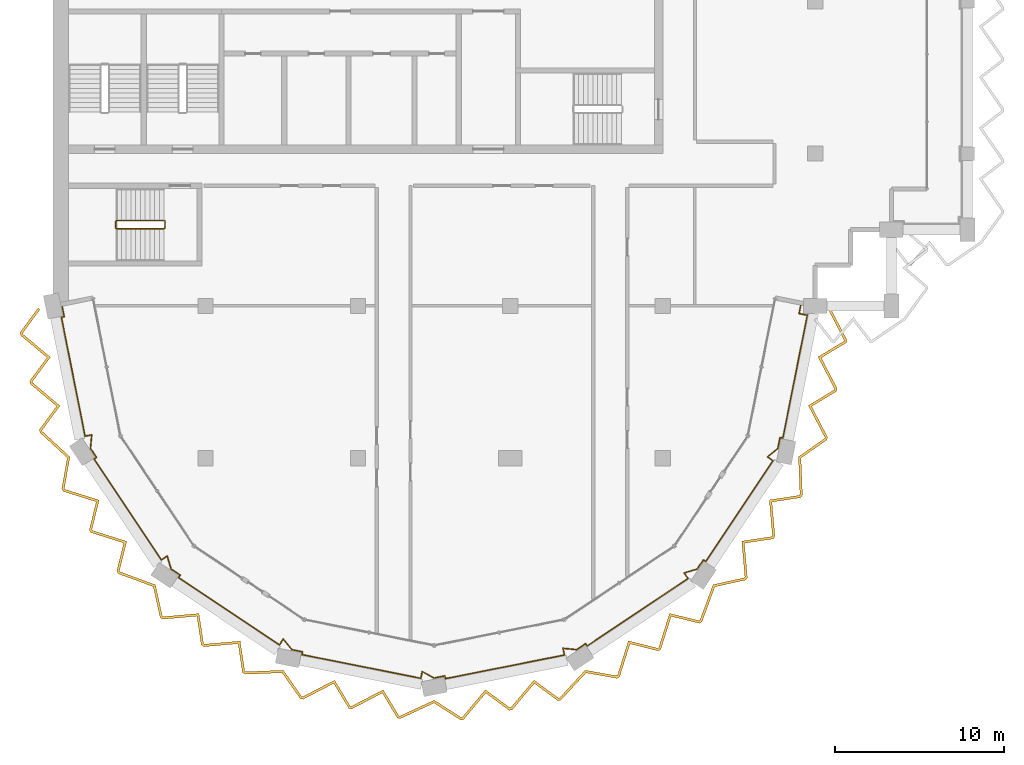
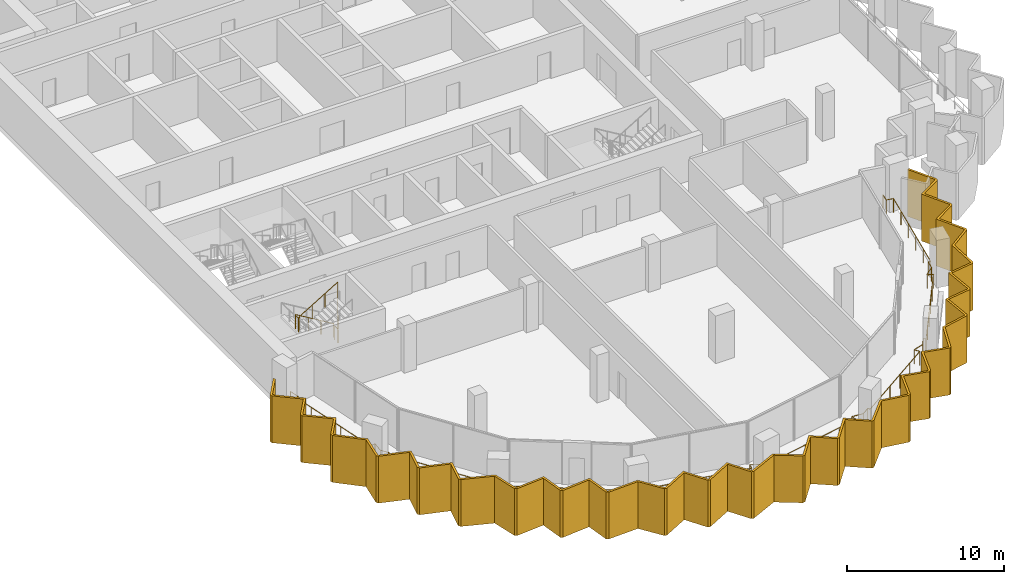
# One storey, part 12 of 14: 2 railings, 1 shading device.
"""IFC4 building model written with IfcOpenShell, lengths in metres."""

from ifc_helpers import new_model, si_unit, direction, frame, origin, origin_2d, place, context, subcontext, project, spatial, polyline, circle, outline, extrude, material, layer, layer_set, type_object, element, save


model = new_model("IFC4")

# Units and contexts
model_context = context("Model", 3, precision=1e-05, world=origin(), true_north=direction((0.0, 1.0)))
body_context = subcontext(model_context, "Body", "Model", "MODEL_VIEW")
ifc_project = project(units=[si_unit("LENGTHUNIT", "METRE"), si_unit("AREAUNIT", "SQUARE_METRE"), si_unit("VOLUMEUNIT", "CUBIC_METRE"), si_unit("PLANEANGLEUNIT", "RADIAN"), si_unit("MASSUNIT", "GRAM", prefix="KILO")], contexts=[model_context])

# Site, building, storey
site_placement = place(None, origin())
site = spatial("IfcSite", under=ifc_project, at=site_placement, CompositionType="ELEMENT")
building_placement = place(site_placement, origin())
building = spatial("IfcBuilding", under=site, at=building_placement, Name="Hunhe Ridgeline Campus", CompositionType="ELEMENT")
storey_placement = place(building_placement, frame((0.0, 0.0, 291.89990234375)))
storey = spatial("IfcBuildingStorey", under=building, at=storey_placement, Name="L75", CompositionType="ELEMENT", Elevation=291.89990234375)

# Railing
ifc_material_1 = material(Name="Steel Q355", Category="steel")
railing_type_1 = type_object("IfcRailingType", Name="Loggia guard 1100 Steel Q355", PredefinedType="GUARDRAIL", material=ifc_material_1)
railing_1_placement = place(storey_placement, frame((0.510009765625, 54.1015625, 0.0)))
element("IfcRailing", 1, at=railing_1_placement, inside=storey, type_object=railing_type_1, Name="Loggia guard 1", PredefinedType="GUARDRAIL", context=body_context, shape_type="SweptSolid", body=[
    extrude(circle(Radius=0.02392578125, at=origin_2d()), frame((0.0, 0.0, 1.076171875), z_axis=(0.194989189992, -0.980805391393, 0.0), x_axis=(0.980805391393, 0.194989189992, 0.0)), (0.0, 0.0, 1.0), 0.75),
    extrude(circle(Radius=0.02392578125, at=origin_2d()), frame((0.146240234375, -0.735595703125, 1.076171875), z_axis=(-0.980746010965, -0.195287639079, 0.0), x_axis=(0.195287639079, -0.980746010965, 0.0)), (0.0, 0.0, 1.0), 0.169921875),
    extrude(circle(Radius=0.02392578125, at=origin_2d()), frame((-0.0205078125, -0.768798828125, 1.076171875), z_axis=(0.195099694312, -0.980783416091, 0.0), x_axis=(0.980783416091, 0.195099694312, 0.0)), (0.0, 0.0, 1.0), 7.160400390625),
    extrude(circle(Radius=0.02392578125, at=origin_2d()), frame((1.37646484375, -7.79150390625, 1.076171875), z_axis=(0.980720044729, 0.195417997808, 0.0), x_axis=(-0.195417997808, 0.980720044729, 0.0)), (0.0, 0.0, 1.0), 0.403564453125),
    extrude(circle(Radius=0.02392578125, at=origin_2d()), frame((1.772216796875, -7.712646484375, 1.076171875), z_axis=(-0.09944331471, -0.995043228789, 0.0), x_axis=(0.995043228789, -0.09944331471, 0.0)), (0.0, 0.0, 1.0), 0.80029296875),
    extrude(circle(Radius=0.02392578125, at=origin_2d()), frame((1.692626953125, -8.509033203125, 1.076171875), z_axis=(0.555484244868, -0.831527061318, 0.0), x_axis=(0.831527061318, 0.555484244868, 0.0)), (0.0, 0.0, 1.0), 0.646484375),
    extrude(circle(Radius=0.02392578125, at=origin_2d()), frame((2.0517578125, -9.046630859375, 1.076171875), z_axis=(-0.831386976724, -0.555693885997, 0.0), x_axis=(0.555693885997, -0.831386976724, 0.0)), (0.0, 0.0, 1.0), 0.169921875),
    extrude(circle(Radius=0.02392578125, at=origin_2d()), frame((1.910400390625, -9.14111328125, 1.076171875), z_axis=(0.555581168767, -0.831462305166, 0.0), x_axis=(0.831462305166, 0.555581168767, 0.0)), (0.0, 0.0, 1.0), 7.16015625),
    extrude(circle(Radius=0.02392578125, at=origin_2d()), frame((5.888427734375, -15.094482421875, 1.076171875), z_axis=(0.831491262241, 0.555537830231, 0.0), x_axis=(-0.555537830231, 0.831491262241, 0.0)), (0.0, 0.0, 1.0), 0.4033203125),
    extrude(circle(Radius=0.02392578125, at=origin_2d()), frame((6.223876953125, -14.870361328125, 1.076171875), z_axis=(0.288914906809, -0.957354780958, 0.0), x_axis=(0.957354780958, 0.288914906809, 0.0)), (0.0, 0.0, 1.0), 0.80029296875),
    extrude(circle(Radius=0.02392578125, at=origin_2d()), frame((6.455078125, -15.636474609375, 1.076171875), z_axis=(0.831352632543, -0.555745265714, 0.0), x_axis=(0.555745265714, 0.831352632543, 0.0)), (0.0, 0.0, 1.0), 0.646728515625),
    extrude(circle(Radius=0.02392578125, at=origin_2d()), frame((6.99267578125, -15.995849609375, 1.076171875), z_axis=(-0.555693885997, -0.831386976724, 0.0), x_axis=(0.831386976724, -0.555693885997, 0.0)), (0.0, 0.0, 1.0), 0.169921875),
    extrude(circle(Radius=0.02392578125, at=origin_2d()), frame((6.898193359375, -16.13720703125, 1.076171875), z_axis=(0.831478056194, -0.555557595635, 0.0), x_axis=(0.555557595635, 0.831478056194, 0.0)), (0.0, 0.0, 1.0), 7.159912109375),
    extrude(circle(Radius=0.02392578125, at=origin_2d()), frame((12.8515625, -20.114990234375, 1.076171875), z_axis=(0.555956014138, 0.831211712107, 0.0), x_axis=(-0.831211712107, 0.555956014138, 0.0)), (0.0, 0.0, 1.0), 0.403564453125),
    extrude(circle(Radius=0.02392578125, at=origin_2d()), frame((13.075927734375, -19.779541015625, 1.076171875), z_axis=(0.633104861372, -0.774066040146, 0.0), x_axis=(0.774066040146, 0.633104861372, 0.0)), (0.0, 0.0, 1.0), 0.800048828125),
    extrude(circle(Radius=0.02392578125, at=origin_2d()), frame((13.58251953125, -20.39892578125, 1.076171875), z_axis=(0.980754587978, -0.195244559871, 0.0), x_axis=(0.195244559871, 0.980754587978, 0.0)), (0.0, 0.0, 1.0), 0.646484375),
    extrude(circle(Radius=0.02392578125, at=origin_2d()), frame((14.216552734375, -20.525146484375, 1.076171875), z_axis=(-0.193905883508, -0.981020136562, 0.0), x_axis=(0.981020136562, -0.193905883508, 0.0)), (0.0, 0.0, 1.0), 0.169921875),
    extrude(circle(Radius=0.02392578125, at=origin_2d()), frame((14.18359375, -20.69189453125, 1.076171875), z_axis=(0.980782118184, -0.195106218893, 0.0), x_axis=(0.195106218893, 0.980782118184, 0.0)), (0.0, 0.0, 1.0), 7.16015625),
    extrude(circle(Radius=0.02392578125, at=origin_2d()), frame((21.2060546875, -22.0888671875, 1.076171875), z_axis=(0.194720424654, 0.980858785057, 0.0), x_axis=(-0.980858785057, 0.194720424654, 0.0)), (0.0, 0.0, 1.0), 0.40380859375),
    extrude(circle(Radius=0.02392578125, at=origin_2d()), frame((21.28466796875, -21.69287109375, 1.076171875), z_axis=(0.881185062436, -0.472771494211, 0.0), x_axis=(0.472771494211, 0.881185062436, 0.0)), (0.0, 0.0, 1.0), 0.800537109375),
    extrude(circle(Radius=0.02392578125, at=origin_2d()), frame((21.989990234375, -22.0712890625, 1.076171875), z_axis=(0.980826840908, 0.194881266811, 0.0), x_axis=(-0.194881266811, 0.980826840908, 0.0)), (0.0, 0.0, 1.0), 0.646484375),
    extrude(circle(Radius=0.02392578125, at=origin_2d()), frame((22.6240234375, -21.9453125, 1.076171875), z_axis=(0.195287639079, -0.980746010965, 0.0), x_axis=(0.980746010965, 0.195287639079, 0.0)), (0.0, 0.0, 1.0), 0.169921875),
    extrude(circle(Radius=0.02392578125, at=origin_2d()), frame((22.6572265625, -22.112060546875, 1.076171875), z_axis=(0.980783416091, 0.195099694312, 0.0), x_axis=(-0.195099694312, 0.980783416091, 0.0)), (0.0, 0.0, 1.0), 7.160400390625),
    extrude(circle(Radius=0.02392578125, at=origin_2d()), frame((29.679931640625, -20.715087890625, 1.076171875), z_axis=(-0.195417997808, 0.980720044729, 0.0), x_axis=(-0.980720044729, -0.195417997808, 0.0)), (0.0, 0.0, 1.0), 0.403564453125),
    extrude(circle(Radius=0.02392578125, at=origin_2d()), frame((29.60107421875, -20.3193359375, 1.076171875), z_axis=(0.995043228789, -0.09944331471, 0.0), x_axis=(0.09944331471, 0.995043228789, 0.0)), (0.0, 0.0, 1.0), 0.80029296875),
    extrude(circle(Radius=0.02392578125, at=origin_2d()), frame((30.3974609375, -20.39892578125, 1.076171875), z_axis=(0.831527061318, 0.555484244868, 0.0), x_axis=(-0.555484244868, 0.831527061318, 0.0)), (0.0, 0.0, 1.0), 0.646484375),
    extrude(circle(Radius=0.02392578125, at=origin_2d()), frame((30.93505859375, -20.039794921875, 1.076171875), z_axis=(0.555693885997, -0.831386976724, 0.0), x_axis=(0.831386976724, 0.555693885997, 0.0)), (0.0, 0.0, 1.0), 0.169921875),
    extrude(circle(Radius=0.02392578125, at=origin_2d()), frame((31.029541015625, -20.18115234375, 1.076171875), z_axis=(0.831462305166, 0.555581168767, 0.0), x_axis=(-0.555581168767, 0.831462305166, 0.0)), (0.0, 0.0, 1.0), 7.16015625),
    extrude(circle(Radius=0.02392578125, at=origin_2d()), frame((36.98291015625, -16.203125, 1.076171875), z_axis=(-0.555537830231, 0.831491262241, 0.0), x_axis=(-0.831491262241, -0.555537830231, 0.0)), (0.0, 0.0, 1.0), 0.4033203125),
    extrude(circle(Radius=0.02392578125, at=origin_2d()), frame((36.7587890625, -15.86767578125, 1.076171875), z_axis=(0.957354780958, 0.288914906809, 0.0), x_axis=(-0.288914906809, 0.957354780958, 0.0)), (0.0, 0.0, 1.0), 0.80029296875),
    extrude(circle(Radius=0.02392578125, at=origin_2d()), frame((37.52490234375, -15.636474609375, 1.076171875), z_axis=(0.555745265714, 0.831352632543, 0.0), x_axis=(-0.831352632543, 0.555745265714, 0.0)), (0.0, 0.0, 1.0), 0.646728515625),
    extrude(circle(Radius=0.02392578125, at=origin_2d()), frame((37.88427734375, -15.098876953125, 1.076171875), z_axis=(0.831386976724, -0.555693885997, 0.0), x_axis=(0.555693885997, 0.831386976724, 0.0)), (0.0, 0.0, 1.0), 0.169921875),
    extrude(circle(Radius=0.02392578125, at=origin_2d()), frame((38.025634765625, -15.193359375, 1.076171875), z_axis=(0.555557595635, 0.831478056194, 0.0), x_axis=(-0.831478056194, 0.555557595635, 0.0)), (0.0, 0.0, 1.0), 7.159912109375),
    extrude(circle(Radius=0.02392578125, at=origin_2d()), frame((42.00341796875, -9.239990234375, 1.076171875), z_axis=(-0.831211712107, 0.555956014138, 0.0), x_axis=(-0.555956014138, -0.831211712107, 0.0)), (0.0, 0.0, 1.0), 0.403564453125),
    extrude(circle(Radius=0.02392578125, at=origin_2d()), frame((41.66796875, -9.015625, 1.076171875), z_axis=(0.774066040146, 0.633104861372, 0.0), x_axis=(-0.633104861372, 0.774066040146, 0.0)), (0.0, 0.0, 1.0), 0.800048828125),
    extrude(circle(Radius=0.02392578125, at=origin_2d()), frame((42.287353515625, -8.509033203125, 1.076171875), z_axis=(0.195244559871, 0.980754587978, 0.0), x_axis=(-0.980754587978, 0.195244559871, 0.0)), (0.0, 0.0, 1.0), 0.646484375),
    extrude(circle(Radius=0.02392578125, at=origin_2d()), frame((42.41357421875, -7.875, 1.076171875), z_axis=(0.981020136562, -0.193905883508, 0.0), x_axis=(0.193905883508, 0.981020136562, 0.0)), (0.0, 0.0, 1.0), 0.169921875),
    extrude(circle(Radius=0.02392578125, at=origin_2d()), frame((42.580322265625, -7.907958984375, 1.076171875), z_axis=(0.195088338544, 0.980785674938, 0.0), x_axis=(-0.980785674938, 0.195088338544, 0.0)), (0.0, 0.0, 1.0), 7.40087890625),
    extrude(circle(Radius=0.02392578125, at=origin_2d()), frame((44.024169921875, -0.649169921875, 1.076171875), z_axis=(-0.980789056368, 0.195071337999, 0.0), x_axis=(-0.195071337999, -0.980789056368, 0.0)), (0.0, 0.0, 1.0), 0.494384765625),
    extrude(circle(Radius=0.02392578125, at=origin_2d()), frame((43.539306640625, -0.552734375, 1.076171875), z_axis=(0.195144205131, 0.980774560847, 0.0), x_axis=(-0.980774560847, 0.195144205131, 0.0)), (0.0, 0.0, 1.0), 0.6279296875),
    extrude(circle(Radius=0.02099609375, at=origin_2d()), origin(), (0.0, 0.0, 1.0), 1.052001953125),
    extrude(circle(Radius=0.02099609375, at=origin_2d()), frame((0.146240234375, -0.735595703125, 0.0)), (0.0, 0.0, 1.0), 1.052001953125),
    extrude(circle(Radius=0.02099609375, at=origin_2d()), frame((-0.0205078125, -0.768798828125, 0.0)), (0.0, 0.0, 1.0), 1.052001953125),
    extrude(circle(Radius=0.02099609375, at=origin_2d()), frame((0.2587890625, -2.17333984375, 0.0)), (0.0, 0.0, 1.0), 1.052001953125),
    extrude(circle(Radius=0.02099609375, at=origin_2d()), frame((0.538330078125, -3.577880859375, 0.0)), (0.0, 0.0, 1.0), 1.052001953125),
    extrude(circle(Radius=0.02099609375, at=origin_2d()), frame((0.817626953125, -4.982421875, 0.0)), (0.0, 0.0, 1.0), 1.052001953125),
    extrude(circle(Radius=0.02099609375, at=origin_2d()), frame((1.09716796875, -6.386962890625, 0.0)), (0.0, 0.0, 1.0), 1.052001953125),
    extrude(circle(Radius=0.02099609375, at=origin_2d()), frame((1.37646484375, -7.79150390625, 0.0)), (0.0, 0.0, 1.0), 1.052001953125),
    extrude(circle(Radius=0.02099609375, at=origin_2d()), frame((1.772216796875, -7.712646484375, 0.0)), (0.0, 0.0, 1.0), 1.052001953125),
    extrude(circle(Radius=0.02099609375, at=origin_2d()), frame((1.692626953125, -8.509033203125, 0.0)), (0.0, 0.0, 1.0), 1.052001953125),
    extrude(circle(Radius=0.02099609375, at=origin_2d()), frame((2.0517578125, -9.046630859375, 0.0)), (0.0, 0.0, 1.0), 1.052001953125),
    extrude(circle(Radius=0.02099609375, at=origin_2d()), frame((1.910400390625, -9.14111328125, 0.0)), (0.0, 0.0, 1.0), 1.052001953125),
    extrude(circle(Radius=0.02099609375, at=origin_2d()), frame((2.7060546875, -10.331787109375, 0.0)), (0.0, 0.0, 1.0), 1.052001953125),
    extrude(circle(Radius=0.02099609375, at=origin_2d()), frame((3.501708984375, -11.5224609375, 0.0)), (0.0, 0.0, 1.0), 1.052001953125),
    extrude(circle(Radius=0.02099609375, at=origin_2d()), frame((4.297119140625, -12.713134765625, 0.0)), (0.0, 0.0, 1.0), 1.052001953125),
    extrude(circle(Radius=0.02099609375, at=origin_2d()), frame((5.0927734375, -13.90380859375, 0.0)), (0.0, 0.0, 1.0), 1.052001953125),
    extrude(circle(Radius=0.02099609375, at=origin_2d()), frame((5.888427734375, -15.094482421875, 0.0)), (0.0, 0.0, 1.0), 1.052001953125),
    extrude(circle(Radius=0.02099609375, at=origin_2d()), frame((6.223876953125, -14.870361328125, 0.0)), (0.0, 0.0, 1.0), 1.052001953125),
    extrude(circle(Radius=0.02099609375, at=origin_2d()), frame((6.455078125, -15.636474609375, 0.0)), (0.0, 0.0, 1.0), 1.052001953125),
    extrude(circle(Radius=0.02099609375, at=origin_2d()), frame((6.99267578125, -15.995849609375, 0.0)), (0.0, 0.0, 1.0), 1.052001953125),
    extrude(circle(Radius=0.02099609375, at=origin_2d()), frame((6.898193359375, -16.13720703125, 0.0)), (0.0, 0.0, 1.0), 1.052001953125),
    extrude(circle(Radius=0.02099609375, at=origin_2d()), frame((8.0888671875, -16.932861328125, 0.0)), (0.0, 0.0, 1.0), 1.052001953125),
    extrude(circle(Radius=0.02099609375, at=origin_2d()), frame((9.279541015625, -17.728271484375, 0.0)), (0.0, 0.0, 1.0), 1.052001953125),
    extrude(circle(Radius=0.02099609375, at=origin_2d()), frame((10.47021484375, -18.52392578125, 0.0)), (0.0, 0.0, 1.0), 1.052001953125),
    extrude(circle(Radius=0.02099609375, at=origin_2d()), frame((11.660888671875, -19.3193359375, 0.0)), (0.0, 0.0, 1.0), 1.052001953125),
    extrude(circle(Radius=0.02099609375, at=origin_2d()), frame((12.8515625, -20.114990234375, 0.0)), (0.0, 0.0, 1.0), 1.052001953125),
    extrude(circle(Radius=0.02099609375, at=origin_2d()), frame((13.075927734375, -19.779541015625, 0.0)), (0.0, 0.0, 1.0), 1.052001953125),
    extrude(circle(Radius=0.02099609375, at=origin_2d()), frame((13.58251953125, -20.39892578125, 0.0)), (0.0, 0.0, 1.0), 1.052001953125),
    extrude(circle(Radius=0.02099609375, at=origin_2d()), frame((14.216552734375, -20.525146484375, 0.0)), (0.0, 0.0, 1.0), 1.052001953125),
    extrude(circle(Radius=0.02099609375, at=origin_2d()), frame((14.18359375, -20.69189453125, 0.0)), (0.0, 0.0, 1.0), 1.052001953125),
    extrude(circle(Radius=0.02099609375, at=origin_2d()), frame((15.588134765625, -20.97119140625, 0.0)), (0.0, 0.0, 1.0), 1.052001953125),
    extrude(circle(Radius=0.02099609375, at=origin_2d()), frame((16.99267578125, -21.250732421875, 0.0)), (0.0, 0.0, 1.0), 1.052001953125),
    extrude(circle(Radius=0.02099609375, at=origin_2d()), frame((18.39697265625, -21.530029296875, 0.0)), (0.0, 0.0, 1.0), 1.052001953125),
    extrude(circle(Radius=0.02099609375, at=origin_2d()), frame((19.801513671875, -21.8095703125, 0.0)), (0.0, 0.0, 1.0), 1.052001953125),
    extrude(circle(Radius=0.02099609375, at=origin_2d()), frame((21.2060546875, -22.0888671875, 0.0)), (0.0, 0.0, 1.0), 1.052001953125),
    extrude(circle(Radius=0.02099609375, at=origin_2d()), frame((21.28466796875, -21.69287109375, 0.0)), (0.0, 0.0, 1.0), 1.052001953125),
    extrude(circle(Radius=0.02099609375, at=origin_2d()), frame((21.989990234375, -22.0712890625, 0.0)), (0.0, 0.0, 1.0), 1.052001953125),
    extrude(circle(Radius=0.02099609375, at=origin_2d()), frame((22.6240234375, -21.9453125, 0.0)), (0.0, 0.0, 1.0), 1.052001953125),
    extrude(circle(Radius=0.02099609375, at=origin_2d()), frame((22.6572265625, -22.112060546875, 0.0)), (0.0, 0.0, 1.0), 1.052001953125),
    extrude(circle(Radius=0.02099609375, at=origin_2d()), frame((24.061767578125, -21.832763671875, 0.0)), (0.0, 0.0, 1.0), 1.052001953125),
    extrude(circle(Radius=0.02099609375, at=origin_2d()), frame((25.46630859375, -21.55322265625, 0.0)), (0.0, 0.0, 1.0), 1.052001953125),
    extrude(circle(Radius=0.02099609375, at=origin_2d()), frame((26.870849609375, -21.27392578125, 0.0)), (0.0, 0.0, 1.0), 1.052001953125),
    extrude(circle(Radius=0.02099609375, at=origin_2d()), frame((28.275390625, -20.994384765625, 0.0)), (0.0, 0.0, 1.0), 1.052001953125),
    extrude(circle(Radius=0.02099609375, at=origin_2d()), frame((29.679931640625, -20.715087890625, 0.0)), (0.0, 0.0, 1.0), 1.052001953125),
    extrude(circle(Radius=0.02099609375, at=origin_2d()), frame((29.60107421875, -20.3193359375, 0.0)), (0.0, 0.0, 1.0), 1.052001953125),
    extrude(circle(Radius=0.02099609375, at=origin_2d()), frame((30.3974609375, -20.39892578125, 0.0)), (0.0, 0.0, 1.0), 1.052001953125),
    extrude(circle(Radius=0.02099609375, at=origin_2d()), frame((30.93505859375, -20.039794921875, 0.0)), (0.0, 0.0, 1.0), 1.052001953125),
    extrude(circle(Radius=0.02099609375, at=origin_2d()), frame((31.029541015625, -20.18115234375, 0.0)), (0.0, 0.0, 1.0), 1.052001953125),
    extrude(circle(Radius=0.02099609375, at=origin_2d()), frame((32.22021484375, -19.385498046875, 0.0)), (0.0, 0.0, 1.0), 1.052001953125),
    extrude(circle(Radius=0.02099609375, at=origin_2d()), frame((33.410888671875, -18.58984375, 0.0)), (0.0, 0.0, 1.0), 1.052001953125),
    extrude(circle(Radius=0.02099609375, at=origin_2d()), frame((34.6015625, -17.79443359375, 0.0)), (0.0, 0.0, 1.0), 1.052001953125),
    extrude(circle(Radius=0.02099609375, at=origin_2d()), frame((35.792236328125, -16.998779296875, 0.0)), (0.0, 0.0, 1.0), 1.052001953125),
    extrude(circle(Radius=0.02099609375, at=origin_2d()), frame((36.98291015625, -16.203125, 0.0)), (0.0, 0.0, 1.0), 1.052001953125),
    extrude(circle(Radius=0.02099609375, at=origin_2d()), frame((36.7587890625, -15.86767578125, 0.0)), (0.0, 0.0, 1.0), 1.052001953125),
    extrude(circle(Radius=0.02099609375, at=origin_2d()), frame((37.52490234375, -15.636474609375, 0.0)), (0.0, 0.0, 1.0), 1.052001953125),
    extrude(circle(Radius=0.02099609375, at=origin_2d()), frame((37.88427734375, -15.098876953125, 0.0)), (0.0, 0.0, 1.0), 1.052001953125),
    extrude(circle(Radius=0.02099609375, at=origin_2d()), frame((38.025634765625, -15.193359375, 0.0)), (0.0, 0.0, 1.0), 1.052001953125),
    extrude(circle(Radius=0.02099609375, at=origin_2d()), frame((38.8212890625, -14.002685546875, 0.0)), (0.0, 0.0, 1.0), 1.052001953125),
    extrude(circle(Radius=0.02099609375, at=origin_2d()), frame((39.61669921875, -12.81201171875, 0.0)), (0.0, 0.0, 1.0), 1.052001953125),
    extrude(circle(Radius=0.02099609375, at=origin_2d()), frame((40.412353515625, -11.621337890625, 0.0)), (0.0, 0.0, 1.0), 1.052001953125),
    extrude(circle(Radius=0.02099609375, at=origin_2d()), frame((41.207763671875, -10.4306640625, 0.0)), (0.0, 0.0, 1.0), 1.052001953125),
    extrude(circle(Radius=0.02099609375, at=origin_2d()), frame((42.00341796875, -9.239990234375, 0.0)), (0.0, 0.0, 1.0), 1.052001953125),
    extrude(circle(Radius=0.02099609375, at=origin_2d()), frame((41.66796875, -9.015625, 0.0)), (0.0, 0.0, 1.0), 1.052001953125),
    extrude(circle(Radius=0.02099609375, at=origin_2d()), frame((42.287353515625, -8.509033203125, 0.0)), (0.0, 0.0, 1.0), 1.052001953125),
    extrude(circle(Radius=0.02099609375, at=origin_2d()), frame((42.41357421875, -7.875, 0.0)), (0.0, 0.0, 1.0), 1.052001953125),
    extrude(circle(Radius=0.02099609375, at=origin_2d()), frame((42.580322265625, -7.907958984375, 0.0)), (0.0, 0.0, 1.0), 1.052001953125),
    extrude(circle(Radius=0.02099609375, at=origin_2d()), frame((42.869140625, -6.456298828125, 0.0)), (0.0, 0.0, 1.0), 1.052001953125),
    extrude(circle(Radius=0.02099609375, at=origin_2d()), frame((43.157958984375, -5.00439453125, 0.0)), (0.0, 0.0, 1.0), 1.052001953125),
    extrude(circle(Radius=0.02099609375, at=origin_2d()), frame((43.446533203125, -3.552734375, 0.0)), (0.0, 0.0, 1.0), 1.052001953125),
    extrude(circle(Radius=0.02099609375, at=origin_2d()), frame((43.7353515625, -2.100830078125, 0.0)), (0.0, 0.0, 1.0), 1.052001953125),
    extrude(circle(Radius=0.02099609375, at=origin_2d()), frame((44.024169921875, -0.649169921875, 0.0)), (0.0, 0.0, 1.0), 1.052001953125),
    extrude(circle(Radius=0.02099609375, at=origin_2d()), frame((43.539306640625, -0.552734375, 0.0)), (0.0, 0.0, 1.0), 1.052001953125),
    extrude(circle(Radius=0.02099609375, at=origin_2d()), frame((43.661865234375, 0.063232421875, 0.0)), (0.0, 0.0, 1.0), 1.052001953125),
])

# Shading device
ifc_material_2 = material(Name="Concrete C50", Category="concrete")
ifc_layer = layer(ifc_material_2, 0.14990234375)
ifc_layer_set = layer_set([ifc_layer], Name="Sawtooth concrete fin 150 Concrete C50")
shading_device_type = type_object("IfcShadingDeviceType", Name="Sawtooth concrete fin 150 Concrete C50", PredefinedType="USERDEFINED", material=ifc_layer_set)
shading_device_placement = place(storey_placement, frame((0.0, 0.0, -0.949951171875)))
element("IfcShadingDevice", 2, at=shading_device_placement, inside=storey, type_object=shading_device_type, Name="Concrete fin screen 1", ObjectType="FIN", PredefinedType="USERDEFINED", context=body_context, shape_type="SweptSolid", body=[
    extrude(outline(polyline([(-0.772705078125, 53.789794921875), (-0.893310546875, 53.878662109375), (-1.956787109375, 52.435302734375), (-1.921630859375, 52.25927734375), (-0.3642578125, 50.951904296875), (-1.3857421875, 49.565185546875), (-1.350830078125, 49.38916015625), (0.20654296875, 48.081787109375), (-0.81494140625, 46.695068359375), (-0.7802734375, 46.52099609375), (0.83154296875, 45.031005859375), (0.50537109375, 43.19287109375), (0.603515625, 43.0458984375), (2.542724609375, 42.434326171875), (2.129638671875, 40.761962890625), (2.229248046875, 40.61279296875), (4.16845703125, 40.0009765625), (3.75537109375, 38.328857421875), (3.85400390625, 38.181396484375), (5.913330078125, 37.421630859375), (6.3154296875, 35.598388671875), (6.462158203125, 35.50048828125), (8.48779296875, 35.67724609375), (8.74609375, 33.974365234375), (8.895263671875, 33.87451171875), (10.9208984375, 34.051513671875), (11.17919921875, 32.348388671875), (11.326904296875, 32.25), (13.520263671875, 32.336181640625), (14.58935546875, 30.8056640625), (14.762451171875, 30.771240234375), (16.566162109375, 31.709716796875), (17.45654296875, 30.2353515625), (17.632568359375, 30.2001953125), (19.436279296875, 31.138916015625), (20.32666015625, 29.664306640625), (20.500732421875, 29.629638671875), (22.494140625, 30.548828125), (24.067626953125, 29.5439453125), (24.24072265625, 29.578369140625), (25.548095703125, 31.1357421875), (26.934814453125, 30.1142578125), (27.11083984375, 30.149169921875), (28.418212890625, 31.70654296875), (29.804931640625, 30.68505859375), (29.97900390625, 30.7197265625), (31.468994140625, 32.33154296875), (33.30712890625, 32.00537109375), (33.4541015625, 32.103515625), (34.065673828125, 34.042724609375), (35.738037109375, 33.629638671875), (35.88720703125, 33.729248046875), (36.4990234375, 35.66845703125), (38.171142578125, 35.25537109375), (38.318603515625, 35.35400390625), (39.078369140625, 37.413330078125), (40.901611328125, 37.8154296875), (40.99951171875, 37.962158203125), (40.82275390625, 39.98779296875), (42.525634765625, 40.24609375), (42.62548828125, 40.395263671875), (42.448486328125, 42.4208984375), (44.151611328125, 42.67919921875), (44.25, 42.826904296875), (44.163818359375, 45.020263671875), (45.6943359375, 46.08935546875), (45.728759765625, 46.262451171875), (44.790283203125, 48.066162109375), (46.2646484375, 48.95654296875), (46.2998046875, 49.132568359375), (45.361083984375, 50.936279296875), (46.835693359375, 51.82666015625), (46.87060546875, 52.002685546875), (45.899658203125, 53.868896484375), (45.7666015625, 53.799560546875), (46.713134765625, 51.980224609375), (46.701416015625, 51.9208984375), (45.1630859375, 50.991943359375), (46.142333984375, 49.110107421875), (46.130615234375, 49.05078125), (44.59228515625, 48.121826171875), (45.571533203125, 46.239990234375), (45.55908203125, 46.177734375), (44.0107421875, 45.09619140625), (44.098388671875, 42.86962890625), (44.0634765625, 42.817626953125), (42.286865234375, 42.548095703125), (42.471435546875, 40.434814453125), (42.437744140625, 40.384521484375), (40.6611328125, 40.114990234375), (40.845703125, 38.001708984375), (40.810302734375, 37.948974609375), (38.966064453125, 37.542236328125), (38.19482421875, 35.45166015625), (38.142822265625, 35.416748046875), (36.398193359375, 35.847900390625), (35.760009765625, 33.82470703125), (35.709716796875, 33.791015625), (33.965087890625, 34.221923828125), (33.326904296875, 32.198974609375), (33.27392578125, 32.16357421875), (31.41455078125, 32.49365234375), (29.90185546875, 30.857421875), (29.840576171875, 30.84521484375), (28.393798828125, 31.910888671875), (27.02978515625, 30.2861328125), (26.970458984375, 30.274169921875), (25.523681640625, 31.340087890625), (24.15966796875, 29.715087890625), (24.097412109375, 29.702880859375), (22.505859375, 30.71923828125), (20.482177734375, 29.786376953125), (20.4208984375, 29.798583984375), (19.491943359375, 31.3369140625), (17.610107421875, 30.357666015625), (17.55078125, 30.369384765625), (16.621826171875, 31.90771484375), (14.739990234375, 30.928466796875), (14.677734375, 30.94091796875), (13.59619140625, 32.4892578125), (11.36962890625, 32.401611328125), (11.317626953125, 32.4365234375), (11.048095703125, 34.213134765625), (8.934814453125, 34.028564453125), (8.884521484375, 34.062255859375), (8.614990234375, 35.8388671875), (6.501708984375, 35.654296875), (6.448974609375, 35.689697265625), (6.042236328125, 37.533935546875), (3.95166015625, 38.30517578125), (3.916748046875, 38.357177734375), (4.347900390625, 40.101806640625), (2.32470703125, 40.739990234375), (2.291015625, 40.790283203125), (2.721923828125, 42.534912109375), (0.698974609375, 43.173095703125), (0.66357421875, 43.22607421875), (0.99365234375, 45.08544921875), (-0.642578125, 46.59814453125), (-0.65478515625, 46.659423828125), (0.410888671875, 48.106201171875), (-1.2138671875, 49.47021484375), (-1.225830078125, 49.529541015625), (-0.159912109375, 50.976318359375), (-1.784912109375, 52.34033203125), (-1.796630859375, 52.399658203125), (-0.772705078125, 53.789794921875)])), origin(), (0.0, 0.0, 1.0), 3.650146484375),
])

# Railing
ifc_material_3 = material(Name="Stainless steel balustrade", Category="steel")
railing_type_2 = type_object("IfcRailingType", Name="Stair guard 1100 stainless", PredefinedType="GUARDRAIL", material=ifc_material_3)
railing_2_placement = place(storey_placement, frame((6.550048828125, 59.050048828125, 0.168212890625)))
element("IfcRailing", 3, at=railing_2_placement, inside=storey, type_object=railing_type_2, Name="L75 stair W2 guard", PredefinedType="GUARDRAIL", context=body_context, shape_type="SweptSolid", body=[
    extrude(circle(Radius=0.02392578125, at=origin_2d()), frame((0.0, 0.0, 1.076171875), z_axis=(-0.857242210791, 0.0, 0.514913383045), x_axis=(0.0, -1.0, 0.0)), (0.0, 0.0, 1.0), 3.266357421875),
    extrude(circle(Radius=0.02392578125, at=origin_2d()), frame((-2.800048828125, 0.0, 2.7578125), z_axis=(-0.707106781187, -0.707106781187, 0.0), x_axis=(0.707106781187, -0.707106781187, 0.0)), (0.0, 0.0, 1.0), 0.07080078125),
    extrude(circle(Radius=0.02392578125, at=origin_2d()), frame((-2.85009765625, -0.050048828125, 2.7578125), z_axis=(0.0, -1.0, 0.0), x_axis=(1.0, 0.0, 0.0)), (0.0, 0.0, 1.0), 0.39990234375),
    extrude(circle(Radius=0.02392578125, at=origin_2d()), frame((-2.85009765625, -0.449951171875, 2.7578125), z_axis=(0.274243871929, -0.274243871929, 0.92172696468), x_axis=(0.707106781187, 0.707106781187, 0.0)), (0.0, 0.0, 1.0), 0.1826171875),
    extrude(circle(Radius=0.02392578125, at=origin_2d()), frame((-2.800048828125, -0.5, 2.92626953125), z_axis=(0.857242210791, 0.0, 0.514913383045), x_axis=(0.0, 1.0, 0.0)), (0.0, 0.0, 1.0), 3.266357421875),
    extrude(circle(Radius=0.02392578125, at=origin_2d()), frame((0.0, -0.5, 4.60791015625), z_axis=(0.013523522368, 0.013523522368, -0.999817097616), x_axis=(-0.707106781187, 0.707106781187, 0.0)), (0.0, 0.0, 1.0), 3.700927734375),
    extrude(circle(Radius=0.02392578125, at=origin_2d()), frame((0.050048828125, -0.449951171875, 0.90771484375), z_axis=(0.0, 1.0, 0.0), x_axis=(-1.0, 0.0, 0.0)), (0.0, 0.0, 1.0), 0.39990234375),
    extrude(circle(Radius=0.02099609375, at=origin_2d()), origin(), (0.0, 0.0, 1.0), 1.052001953125),
    extrude(circle(Radius=0.02099609375, at=origin_2d()), frame((-0.933349609375, 0.0, 0.560546875)), (0.0, 0.0, 1.0), 1.052001953125),
    extrude(circle(Radius=0.02099609375, at=origin_2d()), frame((-1.86669921875, 0.0, 1.121337890625)), (0.0, 0.0, 1.0), 1.052001953125),
    extrude(circle(Radius=0.02099609375, at=origin_2d()), frame((-2.800048828125, 0.0, 1.681884765625)), (0.0, 0.0, 1.0), 1.052001953125),
    extrude(circle(Radius=0.02099609375, at=origin_2d()), frame((-2.85009765625, -0.050048828125, 1.681884765625)), (0.0, 0.0, 1.0), 1.052001953125),
    extrude(circle(Radius=0.02099609375, at=origin_2d()), frame((-2.85009765625, -0.449951171875, 1.681884765625)), (0.0, 0.0, 1.0), 1.052001953125),
    extrude(circle(Radius=0.02099609375, at=origin_2d()), frame((-2.800048828125, -0.5, 1.85009765625)), (0.0, 0.0, 1.0), 1.052001953125),
    extrude(circle(Radius=0.02099609375, at=origin_2d()), frame((-1.86669921875, -0.5, 2.41064453125)), (0.0, 0.0, 1.0), 1.052001953125),
    extrude(circle(Radius=0.02099609375, at=origin_2d()), frame((-0.933349609375, -0.5, 2.971435546875)), (0.0, 0.0, 1.0), 1.052001953125),
    extrude(circle(Radius=0.02099609375, at=origin_2d()), frame((0.0, -0.5, 3.531982421875)), (0.0, 0.0, 1.0), 1.052001953125),
    extrude(circle(Radius=0.02099609375, at=origin_2d()), frame((0.012451171875, -0.487548828125, 2.60693359375)), (0.0, 0.0, 1.0), 1.052001953125),
    extrude(circle(Radius=0.02099609375, at=origin_2d()), frame((0.02490234375, -0.47509765625, 1.681884765625)), (0.0, 0.0, 1.0), 1.052001953125),
    extrude(circle(Radius=0.02099609375, at=origin_2d()), frame((0.03759765625, -0.46240234375, 0.7568359375)), (0.0, 0.0, 1.0), 1.052001953125),
    extrude(circle(Radius=0.02099609375, at=origin_2d()), frame((0.050048828125, -0.449951171875, -0.168212890625)), (0.0, 0.0, 1.0), 1.052001953125),
    extrude(circle(Radius=0.02099609375, at=origin_2d()), frame((0.050048828125, -0.050048828125, -0.168212890625)), (0.0, 0.0, 1.0), 1.052001953125),
])

save(model, "model.ifc")
